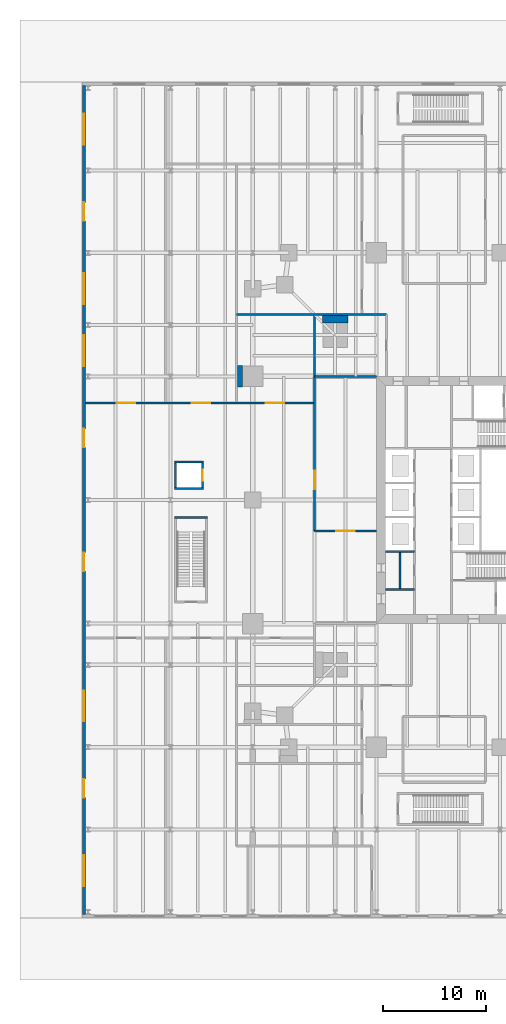
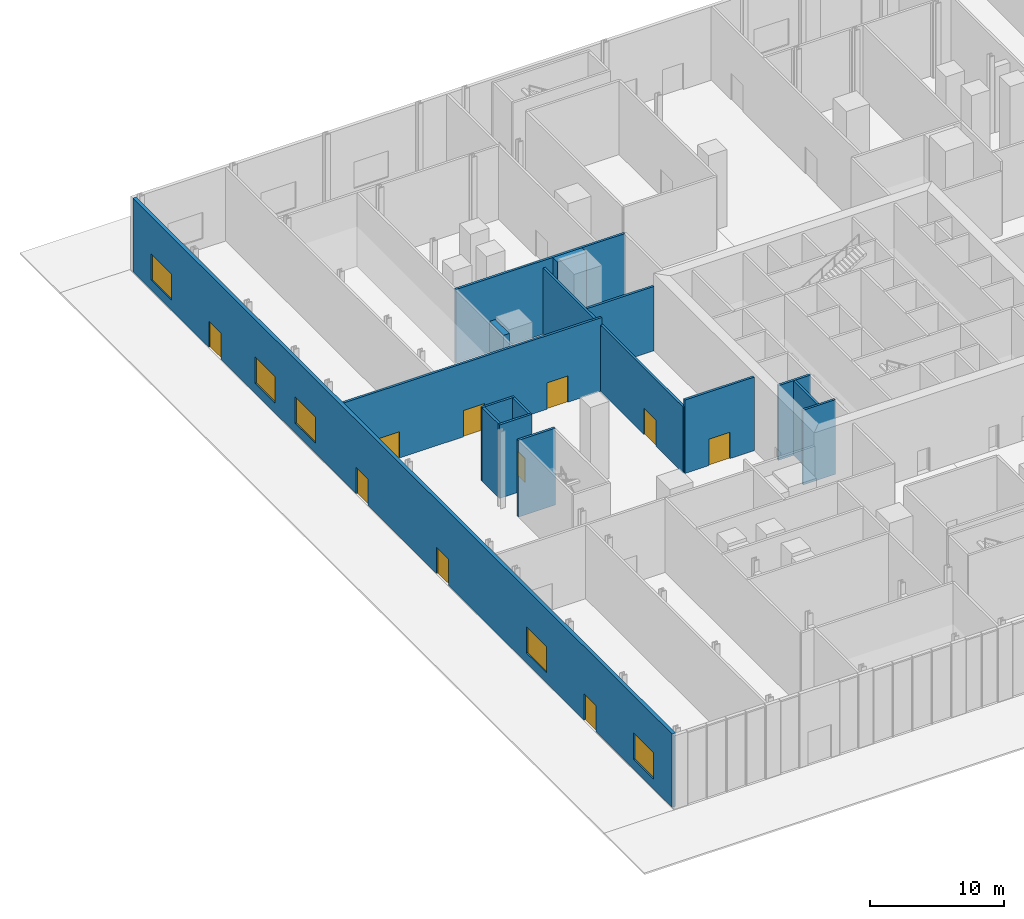
# One storey, part 13 of 20: 16 walls, 10 doors, 5 windows, 15 openings.
"""IFC4 building model written with IfcOpenShell, lengths in metres."""

from ifc_helpers import new_model, si_unit, direction, frame, frame_2d, origin, place, context, subcontext, project, spatial, rectangle, extrude, material, layer, layer_set, type_object, element, fill, save


model = new_model("IFC4")

# Units and contexts
model_context = context("Model", 3, precision=1e-05, world=origin(), true_north=direction((0.0, 1.0)))
body_context = subcontext(model_context, "Body", "Model", "MODEL_VIEW")
ifc_project = project(units=[si_unit("LENGTHUNIT", "METRE"), si_unit("AREAUNIT", "SQUARE_METRE"), si_unit("VOLUMEUNIT", "CUBIC_METRE"), si_unit("PLANEANGLEUNIT", "RADIAN"), si_unit("MASSUNIT", "GRAM", prefix="KILO")], contexts=[model_context])

# Site, building, storey
site_placement = place(None, origin())
site = spatial("IfcSite", under=ifc_project, at=site_placement, CompositionType="ELEMENT")
building_placement = place(site_placement, origin())
building = spatial("IfcBuilding", under=site, at=building_placement, Name="Fenwick Lantern Interchange", CompositionType="ELEMENT")
storey_placement = place(building_placement, origin())
storey = spatial("IfcBuildingStorey", under=building, at=storey_placement, Name="L00", CompositionType="ELEMENT", Elevation=0.0)

# Walls
ifc_material_1 = material(Name="Fire-rated gypsum board encasement on steel studs, 2 hour", Category="steel")
ifc_layer_1 = layer(ifc_material_1, 2.10009765625)
ifc_layer_set_1 = layer_set([ifc_layer_1], Name="COLUMN PIER 2100")
wall_type_1 = type_object("IfcWallType", Name="COLUMN PIER 2100", PredefinedType="PARTITIONING", material=ifc_layer_set_1)
wall_1_placement = place(storey_placement, frame((-0.5, 37.0, 0.0), z_axis=(0.0, 0.0, 1.0), x_axis=(1.0, 0.0, 0.0)))
element("IfcWall", 1, at=wall_1_placement, inside=storey, type_object=wall_type_1, Name="L00/W/PIER/CW2", PredefinedType="PARTITIONING", context=body_context, shape_type="SweptSolid", body=[
    extrude(rectangle(XDim=0.5, YDim=2.10009765625, at=frame_2d((0.25, 0.0))), origin(), (0.0, 0.0, 1.0), 6.699951171875),
])
ifc_layer_2 = layer(ifc_material_1, 2.5)
ifc_layer_set_2 = layer_set([ifc_layer_2], Name="COLUMN PIER 2500")
wall_type_2 = type_object("IfcWallType", Name="COLUMN PIER 2500", PredefinedType="PARTITIONING", material=ifc_layer_set_2)
wall_2_placement = place(storey_placement, frame((9.0, 42.89990234375, 0.0), z_axis=(0.0, 0.0, 1.0), x_axis=(0.0, -1.0, 0.0)))
element("IfcWall", 2, at=wall_2_placement, inside=storey, type_object=wall_type_2, Name="L00/W/PIER/M4", PredefinedType="PARTITIONING", context=body_context, shape_type="SweptSolid", body=[
    extrude(rectangle(XDim=0.699951171875, YDim=2.5, at=frame_2d((0.35009765625, 0.0))), origin(), (0.0, 0.0, 1.0), 6.699951171875),
])
ifc_material_2 = material(Name="Concrete masonry ASTM C90 Grade N", Category="masonry")
ifc_layer_3 = layer(ifc_material_2, 0.199951171875)
ifc_layer_set_3 = layer_set([ifc_layer_3], Name="Concrete masonry ASTM C90 Grade N")
wall_type_3 = type_object("IfcWallType", Name="CORE PARTITION 200", PredefinedType="PARTITIONING", material=ifc_layer_set_3)
for number, where, z_axis, x_axis, name in (
    (3, (13.89990234375, 20.0, 0.0), (0.0, 0.0, 1.0), (1.0, 0.0, 0.0), "L00/W/CORES/c2"),
    (4, (13.89990234375, 16.300048828125, 0.0), (0.0, 0.0, 1.0), (1.0, 0.0, 0.0), "L00/W/CORES/p1"),
):
    element("IfcWall", number, at=place(storey_placement, frame(where, z_axis=z_axis, x_axis=x_axis)), inside=storey, type_object=wall_type_3, Name=name, PredefinedType="PARTITIONING", context=body_context, shape_type="SweptSolid", body=[
        extrude(rectangle(XDim=2.800048828125, YDim=0.199951171875, at=frame_2d((1.39990234375, 0.0))), origin(), (0.0, 0.0, 1.0), 6.800048828125),
    ])
wall_3_placement = place(storey_placement, frame((15.300048828125, 16.300048828125, 0.0), z_axis=(0.0, 0.0, 1.0), x_axis=(0.0, 1.0, 0.0)))
element("IfcWall", 5, at=wall_3_placement, inside=storey, type_object=wall_type_3, Name="L00/W/CORES/px", PredefinedType="PARTITIONING", context=body_context, shape_type="SweptSolid", body=[
    extrude(rectangle(XDim=3.699951171875, YDim=0.199951171875, at=frame_2d((1.85009765625, 0.0))), origin(), (0.0, 0.0, 1.0), 6.800048828125),
])
ifc_layer_4 = layer(ifc_material_2, 0.199951171875)
ifc_layer_set_4 = layer_set([ifc_layer_4], Name="Concrete masonry ASTM C90 Grade N")
wall_type_4 = type_object("IfcWallType", Name="LIFT SHAFT WALL 200", PredefinedType="PARTITIONING", material=ifc_layer_set_4)
wall_4_placement = place(storey_placement, frame((-6.60009765625, 26.10009765625, 0.0), z_axis=(0.0, 0.0, 1.0), x_axis=(1.0, 0.0, 0.0)))
element("IfcWall", 6, at=wall_4_placement, inside=storey, type_object=wall_type_4, Name="L00/W/PL1/S", PredefinedType="PARTITIONING", context=body_context, shape_type="SweptSolid", body=[
    extrude(rectangle(XDim=2.800048828125, YDim=0.199951171875, at=frame_2d((1.39990234375, 0.0))), origin(), (0.0, 0.0, 1.0), 6.699951171875),
])

# Wall, opening, door
wall_5_placement = place(storey_placement, frame((-3.89990234375, 26.199951171875, 0.0), z_axis=(0.0, 0.0, 1.0), x_axis=(0.0, 1.0, 0.0)))
wall_5 = element("IfcWall", 7, at=wall_5_placement, inside=storey, type_object=wall_type_4, Name="L00/W/PL1/E", PredefinedType="PARTITIONING", context=body_context, shape_type="SweptSolid", body=[
    extrude(rectangle(XDim=2.400146484375, YDim=0.199951171875, at=frame_2d((1.2001953125, 0.0))), origin(), (0.0, 0.0, 1.0), 6.699951171875),
])
opening_1_placement = place(wall_5_placement, frame((0.64990234375, 0.0, 0.0)))
opening_1 = element("IfcOpeningElement", 8, at=opening_1_placement, cuts=wall_5, Name="Opening LD-PL1", PredefinedType="OPENING", context=body_context, shape_type="SweptSolid", body=[
    extrude(rectangle(XDim=1.10009765625, YDim=2.199951171875, at=frame_2d((0.550048828125, 1.10009765625))), frame((0.0, 0.10986328125, 0.0), z_axis=(0.0, -1.0, 0.0), x_axis=(1.0, 0.0, 0.0)), (0.0, 0.0, 1.0), 0.219970703125),
])
ifc_material_3 = material(Name="Steel door and frame", Category="steel")
door_type_1 = type_object("IfcDoorType", Name="LIFT LANDING DOOR 1100 X 2200", OperationType="DOUBLE_DOOR_SLIDING", PredefinedType="DOOR", material=ifc_material_3)
door_1_placement = place(opening_1_placement, origin())
door_1 = element("IfcDoor", 9, at=door_1_placement, inside=storey, type_object=door_type_1, Name="Lift landing door PL1", OperationType="DOUBLE_DOOR_SLIDING", OverallHeight=2.199951171875, OverallWidth=1.10009765625, PredefinedType="DOOR", context=body_context, shape_type="SweptSolid", body=[
    extrude(rectangle(XDim=1.10009765625, YDim=2.199951171875, at=frame_2d((0.550048828125, 1.10009765625))), frame((0.0, 0.02490234375, 0.0), z_axis=(0.0, -1.0, 0.0), x_axis=(1.0, 0.0, 0.0)), (0.0, 0.0, 1.0), 0.050048828125),
])
fill(opening_1, door_1)

# Walls
wall_6_placement = place(storey_placement, frame((-3.800048828125, 28.699951171875, 0.0), z_axis=(0.0, 0.0, 1.0), x_axis=(-1.0, 0.0, 0.0)))
element("IfcWall", 10, at=wall_6_placement, inside=storey, type_object=wall_type_4, Name="L00/W/PL1/N", PredefinedType="PARTITIONING", context=body_context, shape_type="SweptSolid", body=[
    extrude(rectangle(XDim=2.800048828125, YDim=0.199951171875, at=frame_2d((1.39990234375, 0.0))), origin(), (0.0, 0.0, 1.0), 6.699951171875),
])
wall_7_placement = place(storey_placement, frame((-6.5, 28.60009765625, 0.0), z_axis=(0.0, 0.0, 1.0), x_axis=(0.0, -1.0, 0.0)))
element("IfcWall", 11, at=wall_7_placement, inside=storey, type_object=wall_type_4, Name="L00/W/PL1/W", PredefinedType="PARTITIONING", context=body_context, shape_type="SweptSolid", body=[
    extrude(rectangle(XDim=2.400146484375, YDim=0.199951171875, at=frame_2d((1.2001953125, 0.0))), origin(), (0.0, 0.0, 1.0), 6.699951171875),
])

# Wall, openings, doors, windows
ifc_material_4 = material(Name="Limestone ASTM C568 Classification II", Category="masonry")
ifc_layer_5 = layer(ifc_material_4, 0.074951171875)
ifc_material_5 = material(Name="Mineral wool insulation")
ifc_layer_6 = layer(ifc_material_5, 0.125)
ifc_material_6 = material(Name="Cold-formed galvanised steel studs", Category="steel")
ifc_layer_7 = layer(ifc_material_6, 0.10009765625)
ifc_layer_set_5 = layer_set([ifc_layer_5, ifc_layer_6, ifc_layer_7], Name="Limestone ASTM C568 Classification II")
wall_type_5 = type_object("IfcWallType", Name="LIMESTONE RAINSCREEN WALL 300", PredefinedType="SOLIDWALL", material=ifc_layer_set_5)
wall_8_placement = place(storey_placement, frame((-15.39990234375, 65.25, 0.0), z_axis=(0.0, 0.0, 1.0), x_axis=(0.0, -1.0, 0.0)))
wall_8 = element("IfcWall", 12, at=wall_8_placement, inside=storey, type_object=wall_type_5, Name="L00/EW/W", PredefinedType="SOLIDWALL", context=body_context, shape_type="SweptSolid", body=[
    extrude(rectangle(XDim=80.5, YDim=0.300048828125, at=frame_2d((40.25, 0.0))), origin(), (0.0, 0.0, 1.0), 6.699951171875),
])
opening_2_placement = place(wall_8_placement, frame((67.35009765625, 0.0, 0.0)))
opening_2 = element("IfcOpeningElement", 13, at=opening_2_placement, cuts=wall_8, Name="Opening L00-D013", PredefinedType="OPENING", context=body_context, shape_type="SweptSolid", body=[
    extrude(rectangle(XDim=1.800048828125, YDim=2.39990234375, at=frame_2d((0.89990234375, 1.199951171875))), frame((0.0, 0.159912109375, 0.0), z_axis=(0.0, -1.0, 0.0), x_axis=(1.0, 0.0, 0.0)), (0.0, 0.0, 1.0), 0.320068359375),
])
opening_3_placement = place(wall_8_placement, frame((45.35009765625, 0.0, 0.0)))
opening_3 = element("IfcOpeningElement", 14, at=opening_3_placement, cuts=wall_8, Name="Opening L00-D014", PredefinedType="OPENING", context=body_context, shape_type="SweptSolid", body=[
    extrude(rectangle(XDim=1.800048828125, YDim=2.39990234375, at=frame_2d((0.89990234375, 1.199951171875))), frame((0.0, 0.159912109375, 0.0), z_axis=(0.0, -1.0, 0.0), x_axis=(1.0, 0.0, 0.0)), (0.0, 0.0, 1.0), 0.320068359375),
])
opening_4_placement = place(wall_8_placement, frame((33.35009765625, 0.0, 0.0)))
opening_4 = element("IfcOpeningElement", 15, at=opening_4_placement, cuts=wall_8, Name="Opening L00-D015", PredefinedType="OPENING", context=body_context, shape_type="SweptSolid", body=[
    extrude(rectangle(XDim=1.800048828125, YDim=2.39990234375, at=frame_2d((0.89990234375, 1.199951171875))), frame((0.0, 0.159912109375, 0.0), z_axis=(0.0, -1.0, 0.0), x_axis=(1.0, 0.0, 0.0)), (0.0, 0.0, 1.0), 0.320068359375),
])
opening_5_placement = place(wall_8_placement, frame((11.35009765625, 0.0, 0.0)))
opening_5 = element("IfcOpeningElement", 16, at=opening_5_placement, cuts=wall_8, Name="Opening L00-D016", PredefinedType="OPENING", context=body_context, shape_type="SweptSolid", body=[
    extrude(rectangle(XDim=1.800048828125, YDim=2.39990234375, at=frame_2d((0.89990234375, 1.199951171875))), frame((0.0, 0.159912109375, 0.0), z_axis=(0.0, -1.0, 0.0), x_axis=(1.0, 0.0, 0.0)), (0.0, 0.0, 1.0), 0.320068359375),
])
opening_6_placement = place(wall_8_placement, frame((74.75, 0.0, 0.89990234375)))
opening_6 = element("IfcOpeningElement", 17, at=opening_6_placement, cuts=wall_8, Name="Opening W1", PredefinedType="OPENING", context=body_context, shape_type="SweptSolid", body=[
    extrude(rectangle(XDim=3.0, YDim=2.39990234375, at=frame_2d((1.5, 1.199951171875))), frame((0.0, 0.159912109375, 0.0), z_axis=(0.0, -1.0, 0.0), x_axis=(1.0, 0.0, 0.0)), (0.0, 0.0, 1.0), 0.320068359375),
])
opening_7_placement = place(wall_8_placement, frame((58.75, 0.0, 0.89990234375)))
opening_7 = element("IfcOpeningElement", 18, at=opening_7_placement, cuts=wall_8, Name="Opening W1", PredefinedType="OPENING", context=body_context, shape_type="SweptSolid", body=[
    extrude(rectangle(XDim=3.0, YDim=2.39990234375, at=frame_2d((1.5, 1.199951171875))), frame((0.0, 0.159912109375, 0.0), z_axis=(0.0, -1.0, 0.0), x_axis=(1.0, 0.0, 0.0)), (0.0, 0.0, 1.0), 0.320068359375),
])
opening_8_placement = place(wall_8_placement, frame((24.25, 0.0, 0.89990234375)))
opening_8 = element("IfcOpeningElement", 19, at=opening_8_placement, cuts=wall_8, Name="Opening W1", PredefinedType="OPENING", context=body_context, shape_type="SweptSolid", body=[
    extrude(rectangle(XDim=3.0, YDim=2.39990234375, at=frame_2d((1.5, 1.199951171875))), frame((0.0, 0.159912109375, 0.0), z_axis=(0.0, -1.0, 0.0), x_axis=(1.0, 0.0, 0.0)), (0.0, 0.0, 1.0), 0.320068359375),
])
opening_9_placement = place(wall_8_placement, frame((18.25, 0.0, 0.89990234375)))
opening_9 = element("IfcOpeningElement", 20, at=opening_9_placement, cuts=wall_8, Name="Opening W1", PredefinedType="OPENING", context=body_context, shape_type="SweptSolid", body=[
    extrude(rectangle(XDim=3.0, YDim=2.39990234375, at=frame_2d((1.5, 1.199951171875))), frame((0.0, 0.159912109375, 0.0), z_axis=(0.0, -1.0, 0.0), x_axis=(1.0, 0.0, 0.0)), (0.0, 0.0, 1.0), 0.320068359375),
])
opening_10_placement = place(wall_8_placement, frame((2.75, 0.0, 0.89990234375)))
opening_10 = element("IfcOpeningElement", 21, at=opening_10_placement, cuts=wall_8, Name="Opening W1", PredefinedType="OPENING", context=body_context, shape_type="SweptSolid", body=[
    extrude(rectangle(XDim=3.0, YDim=2.39990234375, at=frame_2d((1.5, 1.199951171875))), frame((0.0, 0.159912109375, 0.0), z_axis=(0.0, -1.0, 0.0), x_axis=(1.0, 0.0, 0.0)), (0.0, 0.0, 1.0), 0.320068359375),
])
ifc_material_7 = material(Name="Aluminium glazed door", Category="aluminium")
door_type_2 = type_object("IfcDoorType", Name="ENTRANCE DOOR PAIR 1800 X 2400", OperationType="DOUBLE_DOOR_SINGLE_SWING", PredefinedType="DOOR", material=ifc_material_7)
door_2_placement = place(opening_2_placement, frame((1.800048828125, 0.0, 0.0), z_axis=(0.0, 0.0, 1.0), x_axis=(-1.0, 0.0, 0.0)))
door_2 = element("IfcDoor", 22, at=door_2_placement, inside=storey, type_object=door_type_2, Name="Entrance door pair", OperationType="DOUBLE_DOOR_SINGLE_SWING", OverallHeight=2.39990234375, OverallWidth=1.800048828125, PredefinedType="DOOR", context=body_context, shape_type="SweptSolid", body=[
    extrude(rectangle(XDim=1.800048828125, YDim=2.39990234375, at=frame_2d((0.89990234375, 1.199951171875))), frame((0.0, 0.02490234375, 0.0), z_axis=(0.0, -1.0, 0.0), x_axis=(1.0, 0.0, 0.0)), (0.0, 0.0, 1.0), 0.050048828125),
])
fill(opening_2, door_2)
door_3_placement = place(opening_3_placement, frame((1.800048828125, 0.0, 0.0), z_axis=(0.0, 0.0, 1.0), x_axis=(-1.0, 0.0, 0.0)))
door_3 = element("IfcDoor", 23, at=door_3_placement, inside=storey, type_object=door_type_2, Name="Entrance door pair", OperationType="DOUBLE_DOOR_SINGLE_SWING", OverallHeight=2.39990234375, OverallWidth=1.800048828125, PredefinedType="DOOR", context=body_context, shape_type="SweptSolid", body=[
    extrude(rectangle(XDim=1.800048828125, YDim=2.39990234375, at=frame_2d((0.89990234375, 1.199951171875))), frame((0.0, 0.02490234375, 0.0), z_axis=(0.0, -1.0, 0.0), x_axis=(1.0, 0.0, 0.0)), (0.0, 0.0, 1.0), 0.050048828125),
])
fill(opening_3, door_3)
door_4_placement = place(opening_4_placement, frame((1.800048828125, 0.0, 0.0), z_axis=(0.0, 0.0, 1.0), x_axis=(-1.0, 0.0, 0.0)))
door_4 = element("IfcDoor", 24, at=door_4_placement, inside=storey, type_object=door_type_2, Name="Entrance door pair", OperationType="DOUBLE_DOOR_SINGLE_SWING", OverallHeight=2.39990234375, OverallWidth=1.800048828125, PredefinedType="DOOR", context=body_context, shape_type="SweptSolid", body=[
    extrude(rectangle(XDim=1.800048828125, YDim=2.39990234375, at=frame_2d((0.89990234375, 1.199951171875))), frame((0.0, 0.02490234375, 0.0), z_axis=(0.0, -1.0, 0.0), x_axis=(1.0, 0.0, 0.0)), (0.0, 0.0, 1.0), 0.050048828125),
])
fill(opening_4, door_4)
door_5_placement = place(opening_5_placement, frame((1.800048828125, 0.0, 0.0), z_axis=(0.0, 0.0, 1.0), x_axis=(-1.0, 0.0, 0.0)))
door_5 = element("IfcDoor", 25, at=door_5_placement, inside=storey, type_object=door_type_2, Name="Entrance door pair", OperationType="DOUBLE_DOOR_SINGLE_SWING", OverallHeight=2.39990234375, OverallWidth=1.800048828125, PredefinedType="DOOR", context=body_context, shape_type="SweptSolid", body=[
    extrude(rectangle(XDim=1.800048828125, YDim=2.39990234375, at=frame_2d((0.89990234375, 1.199951171875))), frame((0.0, 0.02490234375, 0.0), z_axis=(0.0, -1.0, 0.0), x_axis=(1.0, 0.0, 0.0)), (0.0, 0.0, 1.0), 0.050048828125),
])
fill(opening_5, door_5)
ifc_material_8 = material(Name="Aluminium window, clear glass", Category="aluminium")
window_type = type_object("IfcWindowType", Name="PODIUM WINDOW 3000 X 2400", PartitioningType="SINGLE_PANEL", PredefinedType="WINDOW", material=ifc_material_8)
window_1_placement = place(opening_6_placement, origin())
window_1 = element("IfcWindow", 26, at=window_1_placement, inside=storey, type_object=window_type, Name="Podium window", OverallHeight=2.39990234375, OverallWidth=3.0, PartitioningType="SINGLE_PANEL", PredefinedType="WINDOW", context=body_context, shape_type="SweptSolid", body=[
    extrude(rectangle(XDim=3.0, YDim=2.39990234375, at=frame_2d((1.5, 1.199951171875))), frame((0.0, 0.030029296875, 0.0), z_axis=(0.0, -1.0, 0.0), x_axis=(1.0, 0.0, 0.0)), (0.0, 0.0, 1.0), 0.06005859375),
])
fill(opening_6, window_1)
window_2_placement = place(opening_7_placement, origin())
window_2 = element("IfcWindow", 27, at=window_2_placement, inside=storey, type_object=window_type, Name="Podium window", OverallHeight=2.39990234375, OverallWidth=3.0, PartitioningType="SINGLE_PANEL", PredefinedType="WINDOW", context=body_context, shape_type="SweptSolid", body=[
    extrude(rectangle(XDim=3.0, YDim=2.39990234375, at=frame_2d((1.5, 1.199951171875))), frame((0.0, 0.030029296875, 0.0), z_axis=(0.0, -1.0, 0.0), x_axis=(1.0, 0.0, 0.0)), (0.0, 0.0, 1.0), 0.06005859375),
])
fill(opening_7, window_2)
window_3_placement = place(opening_8_placement, origin())
window_3 = element("IfcWindow", 28, at=window_3_placement, inside=storey, type_object=window_type, Name="Podium window", OverallHeight=2.39990234375, OverallWidth=3.0, PartitioningType="SINGLE_PANEL", PredefinedType="WINDOW", context=body_context, shape_type="SweptSolid", body=[
    extrude(rectangle(XDim=3.0, YDim=2.39990234375, at=frame_2d((1.5, 1.199951171875))), frame((0.0, 0.030029296875, 0.0), z_axis=(0.0, -1.0, 0.0), x_axis=(1.0, 0.0, 0.0)), (0.0, 0.0, 1.0), 0.06005859375),
])
fill(opening_8, window_3)
window_4_placement = place(opening_9_placement, origin())
window_4 = element("IfcWindow", 29, at=window_4_placement, inside=storey, type_object=window_type, Name="Podium window", OverallHeight=2.39990234375, OverallWidth=3.0, PartitioningType="SINGLE_PANEL", PredefinedType="WINDOW", context=body_context, shape_type="SweptSolid", body=[
    extrude(rectangle(XDim=3.0, YDim=2.39990234375, at=frame_2d((1.5, 1.199951171875))), frame((0.0, 0.030029296875, 0.0), z_axis=(0.0, -1.0, 0.0), x_axis=(1.0, 0.0, 0.0)), (0.0, 0.0, 1.0), 0.06005859375),
])
fill(opening_9, window_4)
window_5_placement = place(opening_10_placement, origin())
window_5 = element("IfcWindow", 30, at=window_5_placement, inside=storey, type_object=window_type, Name="Podium window", OverallHeight=2.39990234375, OverallWidth=3.0, PartitioningType="SINGLE_PANEL", PredefinedType="WINDOW", context=body_context, shape_type="SweptSolid", body=[
    extrude(rectangle(XDim=3.0, YDim=2.39990234375, at=frame_2d((1.5, 1.199951171875))), frame((0.0, 0.030029296875, 0.0), z_axis=(0.0, -1.0, 0.0), x_axis=(1.0, 0.0, 0.0)), (0.0, 0.0, 1.0), 0.06005859375),
])
fill(opening_10, window_5)

# Wall, opening, door
ifc_material_9 = material(Name="Gypsum board on steel studs, 1 hour", Category="steel")
ifc_layer_8 = layer(ifc_material_9, 0.199951171875)
ifc_layer_set_6 = layer_set([ifc_layer_8], Name="ROOM WALL 200")
wall_type_6 = type_object("IfcWallType", Name="ROOM WALL 200", PredefinedType="PARTITIONING", material=ifc_layer_set_6)
wall_9_placement = place(storey_placement, frame((7.0, 22.0, 0.0), z_axis=(0.0, 0.0, 1.0), x_axis=(0.0, 1.0, 0.0)))
wall_9 = element("IfcWall", 31, at=wall_9_placement, inside=storey, type_object=wall_type_6, Name="L00/W/POD/X7-2", PredefinedType="PARTITIONING", context=body_context, shape_type="SweptSolid", body=[
    extrude(rectangle(XDim=21.0, YDim=0.199951171875, at=frame_2d((10.5, 0.0))), origin(), (0.0, 0.0, 1.0), 6.04296875),
])
opening_11_placement = place(wall_9_placement, frame((4.050048828125, 0.0, 0.0)))
opening_11 = element("IfcOpeningElement", 32, at=opening_11_placement, cuts=wall_9, Name="Opening L00-D065", PredefinedType="OPENING", context=body_context, shape_type="SweptSolid", body=[
    extrude(rectangle(XDim=1.800048828125, YDim=2.39990234375, at=frame_2d((0.89990234375, 1.199951171875))), frame((0.0, 0.10986328125, 0.0), z_axis=(0.0, -1.0, 0.0), x_axis=(1.0, 0.0, 0.0)), (0.0, 0.0, 1.0), 0.219970703125),
])
door_type_3 = type_object("IfcDoorType", Name="ROOM DOOR PAIR 1800 X 2400", OperationType="DOUBLE_DOOR_SINGLE_SWING", PredefinedType="DOOR", material=ifc_material_3)
door_6_placement = place(opening_11_placement, origin())
door_6 = element("IfcDoor", 33, at=door_6_placement, inside=storey, type_object=door_type_3, Name="Room door pair", OperationType="DOUBLE_DOOR_SINGLE_SWING", OverallHeight=2.39990234375, OverallWidth=1.800048828125, PredefinedType="DOOR", context=body_context, shape_type="SweptSolid", body=[
    extrude(rectangle(XDim=1.800048828125, YDim=2.39990234375, at=frame_2d((0.89990234375, 1.199951171875))), frame((0.0, 0.02490234375, 0.0), z_axis=(0.0, -1.0, 0.0), x_axis=(1.0, 0.0, 0.0)), (0.0, 0.0, 1.0), 0.050048828125),
])
fill(opening_11, door_6)

wall_10_placement = place(storey_placement, frame((7.0, 22.0, 0.0), z_axis=(0.0, 0.0, 1.0), x_axis=(1.0, 0.0, 0.0)))
wall_10 = element("IfcWall", 34, at=wall_10_placement, inside=storey, type_object=wall_type_6, Name="L00/W/POD/Y22-1", PredefinedType="PARTITIONING", context=body_context, shape_type="SweptSolid", body=[
    extrude(rectangle(XDim=6.0, YDim=0.199951171875, at=frame_2d((3.0, 0.0))), origin(), (0.0, 0.0, 1.0), 6.699951171875),
])
opening_12_placement = place(wall_10_placement, frame((2.099853515625, 0.0, 0.0)))
opening_12 = element("IfcOpeningElement", 35, at=opening_12_placement, cuts=wall_10, Name="Opening L00-D064", PredefinedType="OPENING", context=body_context, shape_type="SweptSolid", body=[
    extrude(rectangle(XDim=1.800048828125, YDim=2.39990234375, at=frame_2d((0.89990234375, 1.199951171875))), frame((0.0, 0.10986328125, 0.0), z_axis=(0.0, -1.0, 0.0), x_axis=(1.0, 0.0, 0.0)), (0.0, 0.0, 1.0), 0.219970703125),
])
door_7_placement = place(opening_12_placement, frame((1.800048828125, 0.0, 0.0), z_axis=(0.0, 0.0, 1.0), x_axis=(-1.0, 0.0, 0.0)))
door_7 = element("IfcDoor", 36, at=door_7_placement, inside=storey, type_object=door_type_3, Name="Room door pair", OperationType="DOUBLE_DOOR_SINGLE_SWING", OverallHeight=2.39990234375, OverallWidth=1.800048828125, PredefinedType="DOOR", context=body_context, shape_type="SweptSolid", body=[
    extrude(rectangle(XDim=1.800048828125, YDim=2.39990234375, at=frame_2d((0.89990234375, 1.199951171875))), frame((0.0, 0.02490234375, 0.0), z_axis=(0.0, -1.0, 0.0), x_axis=(1.0, 0.0, 0.0)), (0.0, 0.0, 1.0), 0.050048828125),
])
fill(opening_12, door_7)

# Wall, openings, doors
wall_11_placement = place(storey_placement, frame((-15.25, 34.39990234375, 0.0), z_axis=(0.0, 0.0, 1.0), x_axis=(1.0, 0.0, 0.0)))
wall_11 = element("IfcWall", 37, at=wall_11_placement, inside=storey, type_object=wall_type_6, Name="L00/W/POD/Y34.4-1", PredefinedType="PARTITIONING", context=body_context, shape_type="SweptSolid", body=[
    extrude(rectangle(XDim=22.25, YDim=0.199951171875, at=frame_2d((11.125, 0.0))), origin(), (0.0, 0.0, 1.0), 6.699951171875),
])
opening_13_placement = place(wall_11_placement, frame((17.52490234375, 0.0, 0.0)))
opening_13 = element("IfcOpeningElement", 38, at=opening_13_placement, cuts=wall_11, Name="Opening L00-D058", PredefinedType="OPENING", context=body_context, shape_type="SweptSolid", body=[
    extrude(rectangle(XDim=1.800048828125, YDim=2.39990234375, at=frame_2d((0.89990234375, 1.199951171875))), frame((0.0, 0.10986328125, 0.0), z_axis=(0.0, -1.0, 0.0), x_axis=(1.0, 0.0, 0.0)), (0.0, 0.0, 1.0), 0.219970703125),
])
opening_14_placement = place(wall_11_placement, frame((10.324951171875, 0.0, 0.0)))
opening_14 = element("IfcOpeningElement", 39, at=opening_14_placement, cuts=wall_11, Name="Opening L00-D059", PredefinedType="OPENING", context=body_context, shape_type="SweptSolid", body=[
    extrude(rectangle(XDim=1.800048828125, YDim=2.39990234375, at=frame_2d((0.89990234375, 1.199951171875))), frame((0.0, 0.10986328125, 0.0), z_axis=(0.0, -1.0, 0.0), x_axis=(1.0, 0.0, 0.0)), (0.0, 0.0, 1.0), 0.219970703125),
])
opening_15_placement = place(wall_11_placement, frame((3.02490234375, 0.0, 0.0)))
opening_15 = element("IfcOpeningElement", 40, at=opening_15_placement, cuts=wall_11, Name="Opening L00-D060", PredefinedType="OPENING", context=body_context, shape_type="SweptSolid", body=[
    extrude(rectangle(XDim=1.800048828125, YDim=2.39990234375, at=frame_2d((0.89990234375, 1.199951171875))), frame((0.0, 0.10986328125, 0.0), z_axis=(0.0, -1.0, 0.0), x_axis=(1.0, 0.0, 0.0)), (0.0, 0.0, 1.0), 0.219970703125),
])
door_8_placement = place(opening_13_placement, frame((1.800048828125, 0.0, 0.0), z_axis=(0.0, 0.0, 1.0), x_axis=(-1.0, 0.0, 0.0)))
door_8 = element("IfcDoor", 41, at=door_8_placement, inside=storey, type_object=door_type_3, Name="Room door pair", OperationType="DOUBLE_DOOR_SINGLE_SWING", OverallHeight=2.39990234375, OverallWidth=1.800048828125, PredefinedType="DOOR", context=body_context, shape_type="SweptSolid", body=[
    extrude(rectangle(XDim=1.800048828125, YDim=2.39990234375, at=frame_2d((0.89990234375, 1.199951171875))), frame((0.0, 0.02490234375, 0.0), z_axis=(0.0, -1.0, 0.0), x_axis=(1.0, 0.0, 0.0)), (0.0, 0.0, 1.0), 0.050048828125),
])
fill(opening_13, door_8)
door_9_placement = place(opening_14_placement, frame((1.800048828125, 0.0, 0.0), z_axis=(0.0, 0.0, 1.0), x_axis=(-1.0, 0.0, 0.0)))
door_9 = element("IfcDoor", 42, at=door_9_placement, inside=storey, type_object=door_type_3, Name="Room door pair", OperationType="DOUBLE_DOOR_SINGLE_SWING", OverallHeight=2.39990234375, OverallWidth=1.800048828125, PredefinedType="DOOR", context=body_context, shape_type="SweptSolid", body=[
    extrude(rectangle(XDim=1.800048828125, YDim=2.39990234375, at=frame_2d((0.89990234375, 1.199951171875))), frame((0.0, 0.02490234375, 0.0), z_axis=(0.0, -1.0, 0.0), x_axis=(1.0, 0.0, 0.0)), (0.0, 0.0, 1.0), 0.050048828125),
])
fill(opening_14, door_9)
door_10_placement = place(opening_15_placement, frame((1.800048828125, 0.0, 0.0), z_axis=(0.0, 0.0, 1.0), x_axis=(-1.0, 0.0, 0.0)))
door_10 = element("IfcDoor", 43, at=door_10_placement, inside=storey, type_object=door_type_3, Name="Room door pair", OperationType="DOUBLE_DOOR_SINGLE_SWING", OverallHeight=2.39990234375, OverallWidth=1.800048828125, PredefinedType="DOOR", context=body_context, shape_type="SweptSolid", body=[
    extrude(rectangle(XDim=1.800048828125, YDim=2.39990234375, at=frame_2d((0.89990234375, 1.199951171875))), frame((0.0, 0.02490234375, 0.0), z_axis=(0.0, -1.0, 0.0), x_axis=(1.0, 0.0, 0.0)), (0.0, 0.0, 1.0), 0.050048828125),
])
fill(opening_15, door_10)

# Walls
wall_12_placement = place(storey_placement, frame((7.0, 37.0, 0.0), z_axis=(0.0, 0.0, 1.0), x_axis=(1.0, 0.0, 0.0)))
element("IfcWall", 44, at=wall_12_placement, inside=storey, type_object=wall_type_6, Name="L00/W/POD/Y37-1", PredefinedType="PARTITIONING", context=body_context, shape_type="SweptSolid", body=[
    extrude(rectangle(XDim=6.0, YDim=0.199951171875, at=frame_2d((3.0, 0.0))), origin(), (0.0, 0.0, 1.0), 5.8525390625),
])
wall_13_placement = place(storey_placement, frame((-0.60009765625, 43.0, 0.0), z_axis=(0.0, 0.0, 1.0), x_axis=(1.0, 0.0, 0.0)))
element("IfcWall", 45, at=wall_13_placement, inside=storey, type_object=wall_type_6, Name="L00/W/POD/Y43-1", PredefinedType="PARTITIONING", context=body_context, shape_type="SweptSolid", body=[
    extrude(rectangle(XDim=14.60009765625, YDim=0.199951171875, at=frame_2d((7.300048828125, 0.0))), origin(), (0.0, 0.0, 1.0), 6.699951171875),
])
ifc_material_10 = material(Name="Reinforced concrete masonry ASTM C90 Grade N", Category="masonry")
ifc_layer_9 = layer(ifc_material_10, 0.199951171875)
ifc_layer_set_7 = layer_set([ifc_layer_9], Name="Reinforced concrete masonry ASTM C90 Grade N")
wall_type_7 = type_object("IfcWallType", Name="STAIR ENCLOSURE 200", PredefinedType="SOLIDWALL", material=ifc_layer_set_7)
wall_14_placement = place(storey_placement, frame((-3.39990234375, 23.300048828125, 0.0), z_axis=(0.0, 0.0, 1.0), x_axis=(-1.0, 0.0, 0.0)))
element("IfcWall", 46, at=wall_14_placement, inside=storey, type_object=wall_type_7, Name="L00/W/PS3/N", PredefinedType="SOLIDWALL", context=body_context, shape_type="SweptSolid", body=[
    extrude(rectangle(XDim=3.2001953125, YDim=0.199951171875, at=frame_2d((1.60009765625, 0.0))), origin(), (0.0, 0.0, 1.0), 7.0),
])

save(model, "model.ifc")
